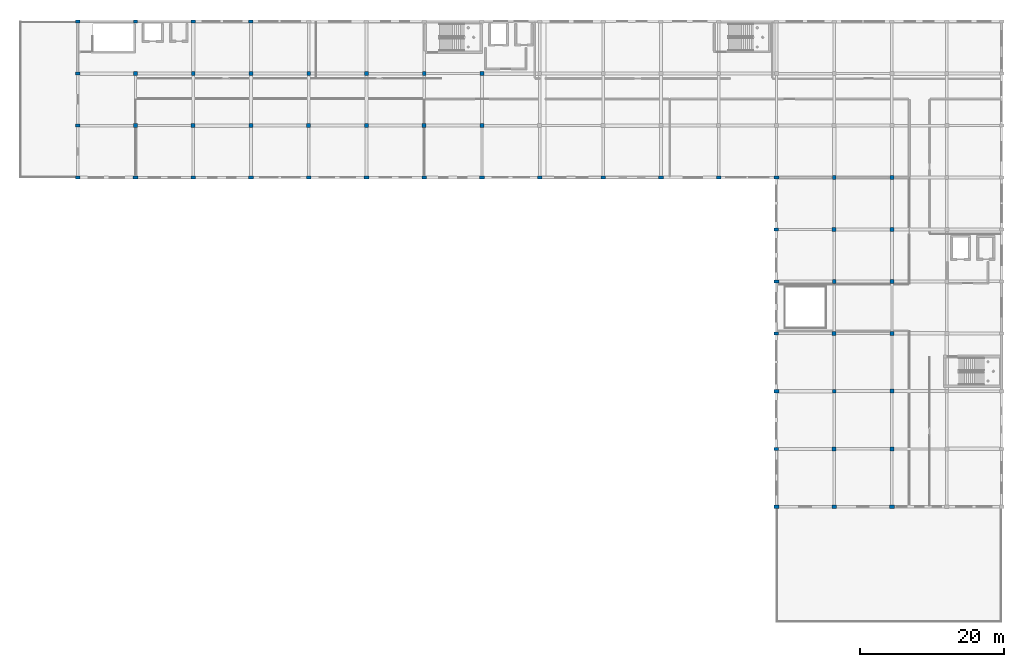
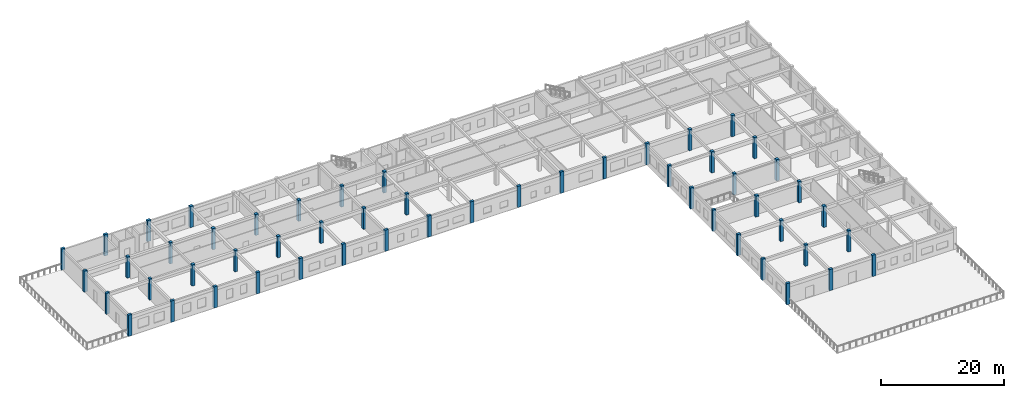
# One storey, part 1 of 19: 53 columns.
"""IFC4 building model written with IfcOpenShell, lengths in metres."""

from ifc_helpers import new_model, si_unit, direction, frame, origin, origin_2d, place, context, subcontext, project, spatial, rectangle, extrude, material, material_profile, profile_set, type_object, element, save


model = new_model("IFC4")

# Units and contexts
model_context = context("Model", 3, precision=1e-05, world=origin(), true_north=direction((0.0, 1.0)))
body_context = subcontext(model_context, "Body", "Model", "MODEL_VIEW")
ifc_project = project(units=[si_unit("LENGTHUNIT", "METRE"), si_unit("AREAUNIT", "SQUARE_METRE"), si_unit("VOLUMEUNIT", "CUBIC_METRE"), si_unit("PLANEANGLEUNIT", "RADIAN"), si_unit("MASSUNIT", "GRAM", prefix="KILO")], contexts=[model_context])

# Site, building, storey
site_placement = place(None, origin())
site = spatial("IfcSite", under=ifc_project, at=site_placement, CompositionType="ELEMENT")
building_placement = place(site_placement, origin())
building = spatial("IfcBuilding", under=site, at=building_placement, Name="Kharva Crest Polytechnic", CompositionType="ELEMENT")
storey_placement = place(building_placement, frame((0.0, 0.0, 21.60009765625)))
storey = spatial("IfcBuildingStorey", under=building, at=storey_placement, Name="L05", CompositionType="ELEMENT", Elevation=21.60009765625)

# Columns
ifc_material = material(Name="Concrete C40/50", Category="concrete")
ifc_material_profile_1 = material_profile(ifc_material, rectangle(XDim=0.6201171875, YDim=0.449951171875, at=origin_2d()), Name="RECT 620 X 450")
ifc_profile_set_1 = profile_set([ifc_material_profile_1], Name="Concrete C40/50")
column_type_1 = type_object("IfcColumnType", Name="COL-EXT-620X450", PredefinedType="COLUMN", material=ifc_profile_set_1)
for number, where, z_axis, x_axis, name in (
    (1, (72.0, 100.39990234375, 0.0), (0.0, 0.0, 1.0), (1.0, 0.0, 0.0), "L05 Column 10/P"),
    (2, (80.0, 122.0, 0.0), (0.0, 0.0, 1.0), (1.0, 0.0, 0.0), "L05 Column 11/S"),
    (3, (88.0, 100.39990234375, 0.0), (0.0, 0.0, 1.0), (1.0, 0.0, 0.0), "L05 Column 12/P"),
    (4, (104.0, 100.39990234375, 0.0), (0.0, 0.0, 1.0), (1.0, 0.0, 0.0), "L05 Column 14/P"),
    (5, (120.0, 100.39990234375, 0.0), (0.0, 0.0, 1.0), (1.0, 0.0, 0.0), "L05 Column 16/P"),
    (6, (128.800048828125, 100.39990234375, 0.0), (0.0, 0.0, 1.0), (1.0, 0.0, 0.0), "L05 Column 17/P"),
    (7, (144.800048828125, 100.39990234375, 0.0), (0.0, 0.0, 1.0), (1.0, 0.0, 0.0), "L05 Column 19/P"),
    (8, (152.800048828125, 62.800048828125, 0.0), (0.0, 0.0, 1.0), (1.0, 0.0, 0.0), "L05 Column 20/J"),
    (9, (152.800048828125, 78.800048828125, 0.0), (0.0, 0.0, 1.0), (1.0, 0.0, 0.0), "L05 Column 20/L"),
    (10, (152.800048828125, 93.199951171875, 0.0), (0.0, 0.0, 1.0), (1.0, 0.0, 0.0), "L05 Column 20/N"),
    (11, (160.800048828125, 54.800048828125, 0.0), (0.0, 0.0, 1.0), (1.0, 0.0, 0.0), "L05 Column 21/H"),
    (12, (56.0, 100.39990234375, 0.0), (0.0, 0.0, 1.0), (1.0, 0.0, 0.0), "L05 Column 8/P"),
    (13, (56.0, 114.800048828125, 0.0), (0.0, 0.0, 1.0), (1.0, 0.0, 0.0), "L05 Column 8/R"),
    (14, (64.0, 122.0, 0.0), (0.0, 0.0, 1.0), (1.0, 0.0, 0.0), "L05 Column 9/S"),
):
    element("IfcColumn", number, at=place(storey_placement, frame(where, z_axis=z_axis, x_axis=x_axis)), inside=storey, type_object=column_type_1, Name=name, PredefinedType="COLUMN", context=body_context, shape_type="SweptSolid", body=[
        extrude(rectangle(XDim=0.6201171875, YDim=0.449951171875, at=origin_2d()), origin(), (0.0, 0.0, 1.0), 4.199951171875),
    ])
ifc_material_profile_2 = material_profile(ifc_material, rectangle(XDim=0.64990234375, YDim=0.449951171875, at=origin_2d()), Name="RECT 650 X 450")
ifc_profile_set_2 = profile_set([ifc_material_profile_2], Name="Concrete C40/50")
column_type_2 = type_object("IfcColumnType", Name="COL-EXT-650X450", PredefinedType="COLUMN", material=ifc_profile_set_2)
for number, where, z_axis, x_axis, name in (
    (15, (72.0, 122.0, 0.0), (0.0, 0.0, 1.0), (1.0, 0.0, 0.0), "L05 Column 10/S"),
    (16, (80.0, 100.39990234375, 0.0), (0.0, 0.0, 1.0), (1.0, 0.0, 0.0), "L05 Column 11/P"),
    (17, (96.0, 100.39990234375, 0.0), (0.0, 0.0, 1.0), (1.0, 0.0, 0.0), "L05 Column 13/P"),
    (18, (112.0, 100.39990234375, 0.0), (0.0, 0.0, 1.0), (1.0, 0.0, 0.0), "L05 Column 15/P"),
    (19, (136.800048828125, 100.39990234375, 0.0), (0.0, 0.0, 1.0), (1.0, 0.0, 0.0), "L05 Column 18/P"),
    (20, (152.800048828125, 54.800048828125, 0.0), (0.0, 0.0, 1.0), (1.0, 0.0, 0.0), "L05 Column 20/H"),
    (21, (152.800048828125, 70.800048828125, 0.0), (0.0, 0.0, 1.0), (1.0, 0.0, 0.0), "L05 Column 20/K"),
    (22, (152.800048828125, 86.0, 0.0), (0.0, 0.0, 1.0), (1.0, 0.0, 0.0), "L05 Column 20/M"),
    (23, (152.800048828125, 100.39990234375, 0.0), (0.0, 0.0, 1.0), (1.0, 0.0, 0.0), "L05 Column 20/P"),
    (24, (168.800048828125, 54.800048828125, 0.0), (0.0, 0.0, 1.0), (1.0, 0.0, 0.0), "L05 Column 22/H"),
    (25, (56.0, 107.60009765625, 0.0), (0.0, 0.0, 1.0), (1.0, 0.0, 0.0), "L05 Column 8/Q"),
    (26, (56.0, 122.0, 0.0), (0.0, 0.0, 1.0), (1.0, 0.0, 0.0), "L05 Column 8/S"),
    (27, (64.0, 100.39990234375, 0.0), (0.0, 0.0, 1.0), (1.0, 0.0, 0.0), "L05 Column 9/P"),
):
    element("IfcColumn", number, at=place(storey_placement, frame(where, z_axis=z_axis, x_axis=x_axis)), inside=storey, type_object=column_type_2, Name=name, PredefinedType="COLUMN", context=body_context, shape_type="SweptSolid", body=[
        extrude(rectangle(XDim=0.64990234375, YDim=0.449951171875, at=origin_2d()), origin(), (0.0, 0.0, 1.0), 4.199951171875),
    ])
ifc_material_profile_3 = material_profile(ifc_material, rectangle(XDim=0.52001953125, YDim=0.52001953125, at=origin_2d()), Name="RECT 520 X 520")
ifc_profile_set_3 = profile_set([ifc_material_profile_3], Name="Concrete C40/50")
column_type_3 = type_object("IfcColumnType", Name="COL-INT-520X520", PredefinedType="COLUMN", material=ifc_profile_set_3)
for number, where, z_axis, x_axis, name in (
    (28, (72.0, 114.800048828125, 0.0), (0.0, 0.0, 1.0), (1.0, 0.0, 0.0), "L05 Column 10/R"),
    (29, (80.0, 107.60009765625, 0.0), (0.0, 0.0, 1.0), (1.0, 0.0, 0.0), "L05 Column 11/Q"),
    (30, (88.0, 114.800048828125, 0.0), (0.0, 0.0, 1.0), (1.0, 0.0, 0.0), "L05 Column 12/R"),
    (31, (96.0, 107.60009765625, 0.0), (0.0, 0.0, 1.0), (1.0, 0.0, 0.0), "L05 Column 13/Q"),
    (32, (104.0, 114.800048828125, 0.0), (0.0, 0.0, 1.0), (1.0, 0.0, 0.0), "L05 Column 14/R"),
    (33, (112.0, 107.60009765625, 0.0), (0.0, 0.0, 1.0), (1.0, 0.0, 0.0), "L05 Column 15/Q"),
    (34, (160.800048828125, 70.800048828125, 0.0), (0.0, 0.0, 1.0), (1.0, 0.0, 0.0), "L05 Column 21/K"),
    (35, (160.800048828125, 86.0, 0.0), (0.0, 0.0, 1.0), (1.0, 0.0, 0.0), "L05 Column 21/M"),
    (36, (160.800048828125, 100.39990234375, 0.0), (0.0, 0.0, 1.0), (1.0, 0.0, 0.0), "L05 Column 21/P"),
    (37, (168.800048828125, 62.800048828125, 0.0), (0.0, 0.0, 1.0), (1.0, 0.0, 0.0), "L05 Column 22/J"),
    (38, (168.800048828125, 78.800048828125, 0.0), (0.0, 0.0, 1.0), (1.0, 0.0, 0.0), "L05 Column 22/L"),
    (39, (168.800048828125, 93.199951171875, 0.0), (0.0, 0.0, 1.0), (1.0, 0.0, 0.0), "L05 Column 22/N"),
    (40, (64.0, 107.60009765625, 0.0), (0.0, 0.0, 1.0), (1.0, 0.0, 0.0), "L05 Column 9/Q"),
):
    element("IfcColumn", number, at=place(storey_placement, frame(where, z_axis=z_axis, x_axis=x_axis)), inside=storey, type_object=column_type_3, Name=name, PredefinedType="COLUMN", context=body_context, shape_type="SweptSolid", body=[
        extrude(rectangle(XDim=0.52001953125, YDim=0.52001953125, at=origin_2d()), origin(), (0.0, 0.0, 1.0), 4.199951171875),
    ])
ifc_material_profile_4 = material_profile(ifc_material, rectangle(XDim=0.550048828125, YDim=0.550048828125, at=origin_2d()), Name="RECT 550 X 550")
ifc_profile_set_4 = profile_set([ifc_material_profile_4], Name="Concrete C40/50")
column_type_4 = type_object("IfcColumnType", Name="COL-INT-550X550", PredefinedType="COLUMN", material=ifc_profile_set_4)
for number, where, z_axis, x_axis, name in (
    (41, (72.0, 107.60009765625, 0.0), (0.0, 0.0, 1.0), (1.0, 0.0, 0.0), "L05 Column 10/Q"),
    (42, (80.0, 114.800048828125, 0.0), (0.0, 0.0, 1.0), (1.0, 0.0, 0.0), "L05 Column 11/R"),
    (43, (88.0, 107.60009765625, 0.0), (0.0, 0.0, 1.0), (1.0, 0.0, 0.0), "L05 Column 12/Q"),
    (44, (96.0, 114.800048828125, 0.0), (0.0, 0.0, 1.0), (1.0, 0.0, 0.0), "L05 Column 13/R"),
    (45, (104.0, 107.60009765625, 0.0), (0.0, 0.0, 1.0), (1.0, 0.0, 0.0), "L05 Column 14/Q"),
    (46, (112.0, 114.800048828125, 0.0), (0.0, 0.0, 1.0), (1.0, 0.0, 0.0), "L05 Column 15/R"),
    (47, (160.800048828125, 62.800048828125, 0.0), (0.0, 0.0, 1.0), (1.0, 0.0, 0.0), "L05 Column 21/J"),
    (48, (160.800048828125, 78.800048828125, 0.0), (0.0, 0.0, 1.0), (1.0, 0.0, 0.0), "L05 Column 21/L"),
    (49, (160.800048828125, 93.199951171875, 0.0), (0.0, 0.0, 1.0), (1.0, 0.0, 0.0), "L05 Column 21/N"),
    (50, (168.800048828125, 70.800048828125, 0.0), (0.0, 0.0, 1.0), (1.0, 0.0, 0.0), "L05 Column 22/K"),
    (51, (168.800048828125, 86.0, 0.0), (0.0, 0.0, 1.0), (1.0, 0.0, 0.0), "L05 Column 22/M"),
    (52, (168.800048828125, 100.39990234375, 0.0), (0.0, 0.0, 1.0), (1.0, 0.0, 0.0), "L05 Column 22/P"),
    (53, (64.0, 114.800048828125, 0.0), (0.0, 0.0, 1.0), (1.0, 0.0, 0.0), "L05 Column 9/R"),
):
    element("IfcColumn", number, at=place(storey_placement, frame(where, z_axis=z_axis, x_axis=x_axis)), inside=storey, type_object=column_type_4, Name=name, PredefinedType="COLUMN", context=body_context, shape_type="SweptSolid", body=[
        extrude(rectangle(XDim=0.550048828125, YDim=0.550048828125, at=origin_2d()), origin(), (0.0, 0.0, 1.0), 4.199951171875),
    ])

save(model, "model.ifc")
